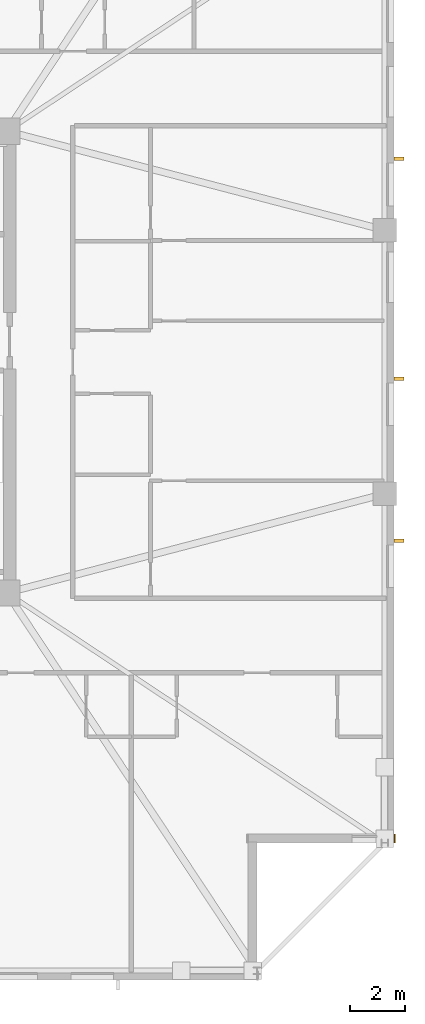
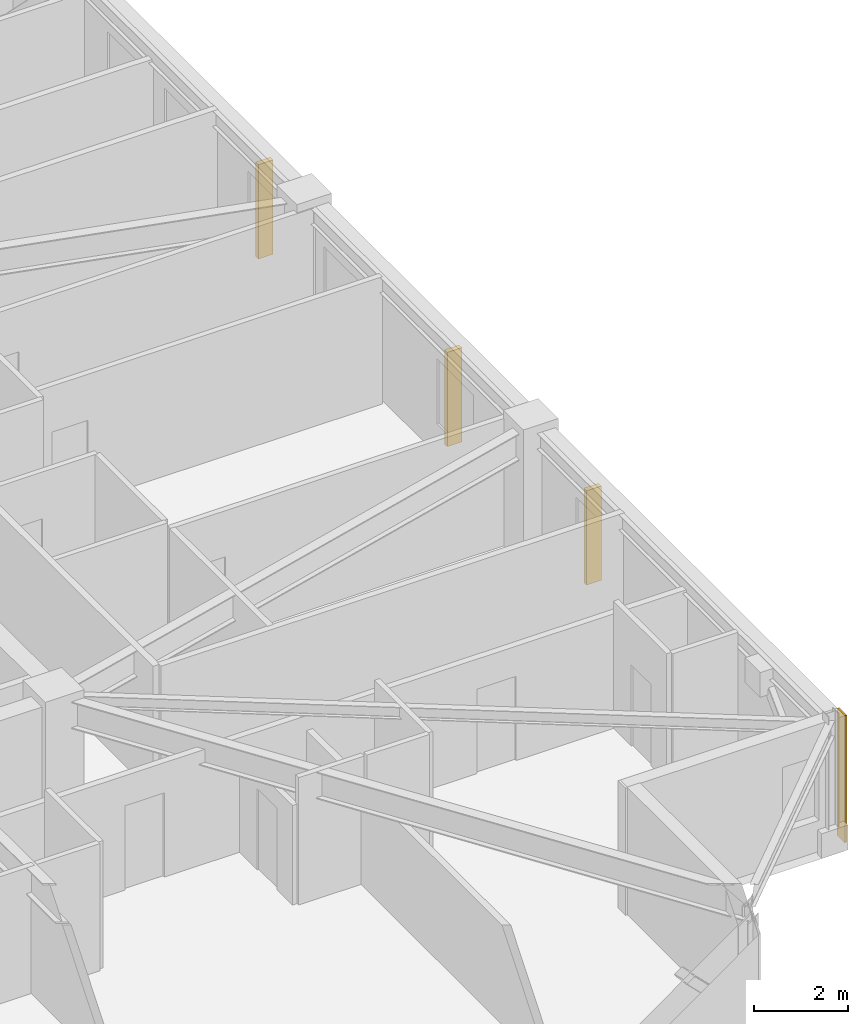
# One storey, part 15 of 17: 3 shading devices, 1 covering.
"""IFC4 building model written with IfcOpenShell, lengths in metres."""

from ifc_helpers import new_model, si_unit, direction, frame, frame_2d, origin, origin_2d, place, context, subcontext, project, spatial, rectangle, extrude, material, layer, layer_set, type_object, element, save


model = new_model("IFC4")

# Units and contexts
model_context = context("Model", 3, precision=1e-05, world=origin(), true_north=direction((0.0, 1.0)))
body_context = subcontext(model_context, "Body", "Model", "MODEL_VIEW")
ifc_project = project(units=[si_unit("LENGTHUNIT", "METRE"), si_unit("AREAUNIT", "SQUARE_METRE"), si_unit("VOLUMEUNIT", "CUBIC_METRE"), si_unit("PLANEANGLEUNIT", "RADIAN"), si_unit("MASSUNIT", "GRAM", prefix="KILO")], contexts=[model_context])

# Site, building, storey
site_placement = place(None, origin())
site = spatial("IfcSite", under=ifc_project, at=site_placement, CompositionType="ELEMENT")
building_placement = place(site_placement, origin())
building = spatial("IfcBuilding", under=site, at=building_placement, Name="Cairnveth Concourse Tower", CompositionType="ELEMENT")
storey_placement = place(building_placement, frame((0.0, 0.0, 220.0)))
storey = spatial("IfcBuildingStorey", under=building, at=storey_placement, Name="L60", CompositionType="ELEMENT", Elevation=220.0)

# Covering
ifc_material_1 = material(Name="Dressed Melbourne Bluestone Cladding", Category="masonry")
ifc_layer = layer(ifc_material_1, 0.050048828125)
ifc_layer_set = layer_set([ifc_layer], Name="Dressed Melbourne Bluestone Cladding")
covering_type = type_object("IfcCoveringType", Name="DRESSED BLUESTONE PLINTH CLADDING 50", PredefinedType="CLADDING", material=ifc_layer_set)
covering_placement = place(storey_placement, frame((74.52001953125, 21.820068359375, 0.0), z_axis=(0.0, 0.0, 1.0), x_axis=(0.0, -1.0, 0.0)))
element("IfcCovering", 1, at=covering_placement, inside=storey, type_object=covering_type, Name="Melbourne Bluestone Corner Quoin L60-899", PredefinedType="CLADDING", context=body_context, shape_type="SweptSolid", body=[
    extrude(rectangle(XDim=0.320068359375, YDim=0.050048828125, at=frame_2d((0.16015625, 0.0))), origin(), (0.0, 0.0, 1.0), 3.2900390625),
])

# Shading devices
ifc_material_2 = material(Name="Architectural Bronze Anodised Aluminium 6063-T6", Category="aluminium")
shading_device_type = type_object("IfcShadingDeviceType", Name="GOTHIC BRONZE VERTICAL LANCET FIN", PredefinedType="USERDEFINED", material=ifc_material_2)
for number, where, z_axis, x_axis, name in (
    (2, (74.675048828125, 46.39697265625, 0.030029296875), (0.0, 0.0, 1.0), (0.0, 1.0, 0.0), "Gothic Bronze Vertical Fin L60-3-3"),
    (3, (74.675048828125, 38.396484375, 0.030029296875), (0.0, 0.0, 1.0), (0.0, 1.0, 0.0), "Gothic Bronze Vertical Fin L60-3-5"),
    (4, (74.675048828125, 32.495849609375, 0.030029296875), (0.0, 0.0, 1.0), (0.0, 1.0, 0.0), "Gothic Bronze Vertical Fin L60-3-7"),
):
    element("IfcShadingDevice", number, at=place(storey_placement, frame(where, z_axis=z_axis, x_axis=x_axis)), inside=storey, type_object=shading_device_type, Name=name, ObjectType="VERTICAL FIN", PredefinedType="USERDEFINED", context=body_context, shape_type="SweptSolid", body=[
        extrude(rectangle(XDim=0.1201171875, YDim=0.360107421875, at=origin_2d()), origin(), (0.0, 0.0, 1.0), 2.43798828125),
    ])

save(model, "model.ifc")
